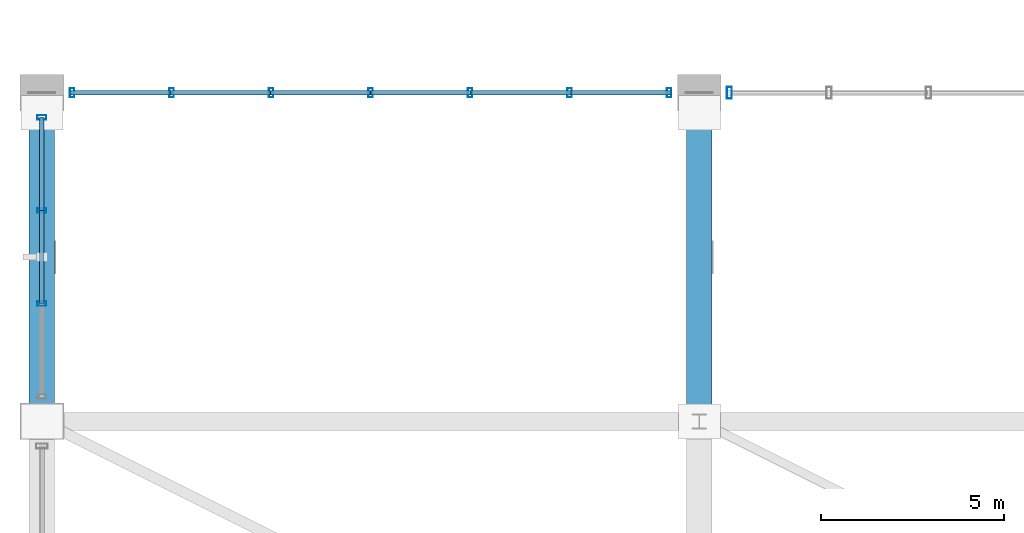
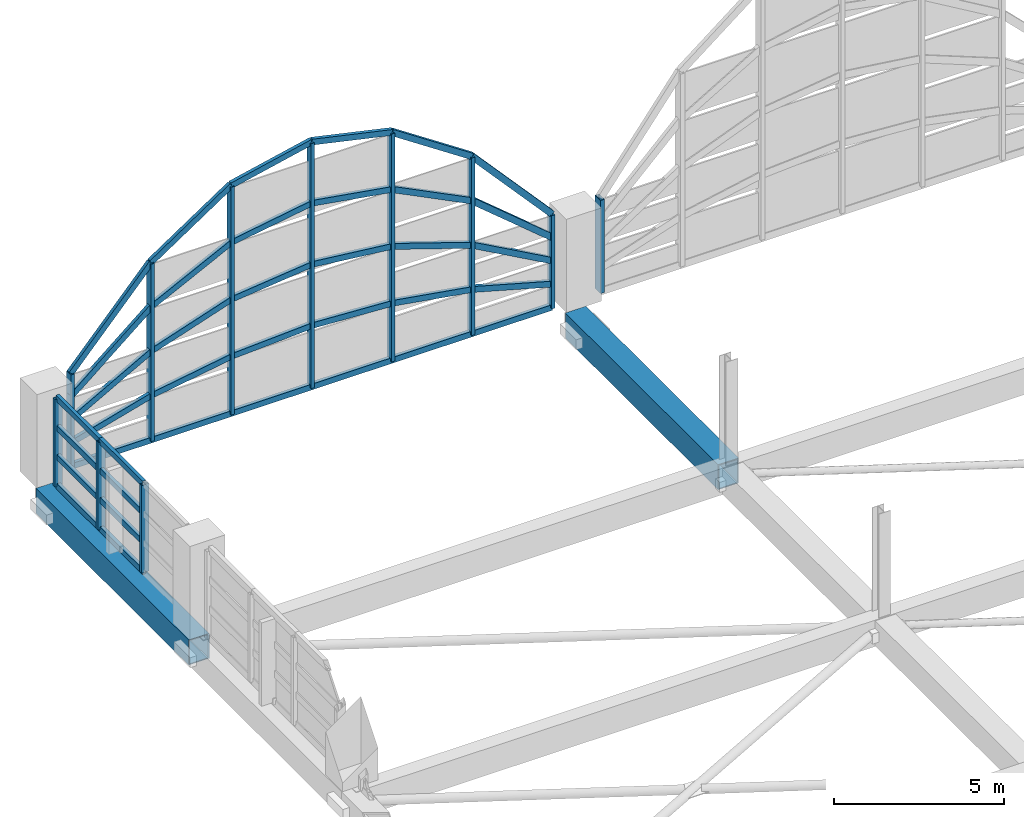
# One storey, part 43 of 116: 49 members, 2 beams, 3 elements without a shape of their own.
"""IFC4 building model written with IfcOpenShell, lengths in metres."""

from ifc_helpers import new_model, si_unit, direction, frame, origin, origin_2d, place, context, subcontext, project, spatial, hollow_rectangle, extrude, material, material_profile, profile_set, type_object, element, aggregate, save


model = new_model("IFC4")

# Units and contexts
model_context = context("Model", 3, precision=1e-05, world=origin(), true_north=direction((0.0, 1.0)))
body_context = subcontext(model_context, "Body", "Model", "MODEL_VIEW")
ifc_project = project(units=[si_unit("LENGTHUNIT", "METRE"), si_unit("AREAUNIT", "SQUARE_METRE"), si_unit("VOLUMEUNIT", "CUBIC_METRE"), si_unit("PLANEANGLEUNIT", "RADIAN"), si_unit("MASSUNIT", "GRAM", prefix="KILO")], contexts=[model_context])

# Site, building, storey
site_placement = place(None, origin())
site = spatial("IfcSite", under=ifc_project, at=site_placement, CompositionType="ELEMENT")
building_placement = place(site_placement, origin())
building = spatial("IfcBuilding", under=site, at=building_placement, Name="Chuanluo Vaults Station", CompositionType="ELEMENT")
storey_placement = place(building_placement, frame((0.0, 0.0, 10.800048828125)))
storey = spatial("IfcBuildingStorey", under=building, at=storey_placement, Name="L02", CompositionType="ELEMENT", Elevation=10.800048828125)

# Beams
ifc_material_1 = material(Name="Steel Q390C", Category="steel")
ifc_material_profile_1 = material_profile(ifc_material_1, hollow_rectangle(XDim=0.699951171875, YDim=0.89990234375, WallThickness=0.035888671875, at=origin_2d()))
ifc_profile_set_1 = profile_set([ifc_material_profile_1], Name="Steel Q390C")
beam_type = type_object("IfcBeamType", Name="BM-TT-TOP", PredefinedType="USERDEFINED", material=ifc_profile_set_1)
for number, where, z_axis, x_axis, name in (
    (1, (0.0, 94.5, -0.85009765625), (0.0, 1.0, 0.0), (-1.0, 0.0, 0.0), "Transfer truss TT-1 top chord 4"),
    (2, (18.0, 94.5, -0.85009765625), (0.0, 1.0, 0.0), (-1.0, 0.0, 0.0), "Transfer truss TT-2 top chord 4"),
):
    element("IfcBeam", number, at=place(storey_placement, frame(where, z_axis=z_axis, x_axis=x_axis)), inside=storey, type_object=beam_type, Name=name, ObjectType="GIRDER", PredefinedType="USERDEFINED", context=body_context, shape_type="SweptSolid", body=[
        extrude(hollow_rectangle(XDim=0.699951171875, YDim=0.89990234375, WallThickness=0.035888671875, at=origin_2d()), origin(), (0.0, 0.0, 1.0), 9.0),
    ])

# Curtain wall, members
ifc_material_2 = material(Name="Anodised aluminium 6063-T6", Category="aluminium")
curtain_wall_type_1 = type_object("IfcCurtainWallType", Name="CW-SYS-03", PredefinedType="NOTDEFINED", material=ifc_material_2)
curtain_wall_1_placement = place(storey_placement, origin())
curtain_wall_1 = element("IfcCurtainWall", 3, at=curtain_wall_1_placement, inside=storey, type_object=curtain_wall_type_1, Name="Vault V1 north arched curtain wall", PredefinedType="NOTDEFINED")
ifc_material_3 = material(Name="Anodised aluminium 6063-T6", Category="aluminium")
ifc_material_profile_2 = material_profile(ifc_material_3, hollow_rectangle(XDim=0.1201171875, YDim=0.25, WallThickness=0.006103515625, at=origin_2d()))
ifc_profile_set_2 = profile_set([ifc_material_profile_2], Name="Anodised aluminium 6063-T6")
member_type_1 = type_object("IfcMemberType", Name="CWM-160", PredefinedType="MULLION", material=ifc_profile_set_2)
member_1_placement = place(storey_placement, frame((0.824951171875, 103.5, 0.0), z_axis=(0.0, 0.0, 1.0), x_axis=(1.0, 0.0, 0.0)))
member_1 = element("IfcMember", 4, at=member_1_placement, type_object=member_type_1, Name="Vault V1 north arched curtain wall mullion 1", PredefinedType="MULLION", context=body_context, shape_type="SweptSolid", body=[
    extrude(hollow_rectangle(XDim=0.1201171875, YDim=0.25, WallThickness=0.006103515625, at=origin_2d()), origin(), (0.0, 0.0, 1.0), 3.349853515625),
])
member_2_placement = place(storey_placement, frame((3.550048828125, 103.5, 0.0), z_axis=(0.0, 0.0, 1.0), x_axis=(1.0, 0.0, 0.0)))
member_2 = element("IfcMember", 5, at=member_2_placement, type_object=member_type_1, Name="Vault V1 north arched curtain wall mullion 2", PredefinedType="MULLION", context=body_context, shape_type="SweptSolid", body=[
    extrude(hollow_rectangle(XDim=0.1201171875, YDim=0.25, WallThickness=0.006103515625, at=origin_2d()), origin(), (0.0, 0.0, 1.0), 6.377685546875),
])
member_3_placement = place(storey_placement, frame((6.27490234375, 103.5, 0.0), z_axis=(0.0, 0.0, 1.0), x_axis=(1.0, 0.0, 0.0)))
member_3 = element("IfcMember", 6, at=member_3_placement, type_object=member_type_1, Name="Vault V1 north arched curtain wall mullion 3", PredefinedType="MULLION", context=body_context, shape_type="SweptSolid", body=[
    extrude(hollow_rectangle(XDim=0.1201171875, YDim=0.25, WallThickness=0.006103515625, at=origin_2d()), origin(), (0.0, 0.0, 1.0), 8.1943359375),
])
member_4_placement = place(storey_placement, frame((9.0, 103.5, 0.0), z_axis=(0.0, 0.0, 1.0), x_axis=(1.0, 0.0, 0.0)))
member_4 = element("IfcMember", 7, at=member_4_placement, type_object=member_type_1, Name="Vault V1 north arched curtain wall mullion 4", PredefinedType="MULLION", context=body_context, shape_type="SweptSolid", body=[
    extrude(hollow_rectangle(XDim=0.1201171875, YDim=0.25, WallThickness=0.006103515625, at=origin_2d()), origin(), (0.0, 0.0, 1.0), 8.800048828125),
])
member_5_placement = place(storey_placement, frame((11.72509765625, 103.5, 0.0), z_axis=(0.0, 0.0, 1.0), x_axis=(1.0, 0.0, 0.0)))
member_5 = element("IfcMember", 8, at=member_5_placement, type_object=member_type_1, Name="Vault V1 north arched curtain wall mullion 5", PredefinedType="MULLION", context=body_context, shape_type="SweptSolid", body=[
    extrude(hollow_rectangle(XDim=0.1201171875, YDim=0.25, WallThickness=0.006103515625, at=origin_2d()), origin(), (0.0, 0.0, 1.0), 8.1943359375),
])
member_6_placement = place(storey_placement, frame((14.449951171875, 103.5, 0.0), z_axis=(0.0, 0.0, 1.0), x_axis=(1.0, 0.0, 0.0)))
member_6 = element("IfcMember", 9, at=member_6_placement, type_object=member_type_1, Name="Vault V1 north arched curtain wall mullion 6", PredefinedType="MULLION", context=body_context, shape_type="SweptSolid", body=[
    extrude(hollow_rectangle(XDim=0.1201171875, YDim=0.25, WallThickness=0.006103515625, at=origin_2d()), origin(), (0.0, 0.0, 1.0), 6.377685546875),
])
member_7_placement = place(storey_placement, frame((17.175048828125, 103.5, 0.0), z_axis=(0.0, 0.0, 1.0), x_axis=(1.0, 0.0, 0.0)))
member_7 = element("IfcMember", 10, at=member_7_placement, type_object=member_type_1, Name="Vault V1 north arched curtain wall mullion 7", PredefinedType="MULLION", context=body_context, shape_type="SweptSolid", body=[
    extrude(hollow_rectangle(XDim=0.1201171875, YDim=0.25, WallThickness=0.006103515625, at=origin_2d()), origin(), (0.0, 0.0, 1.0), 3.349853515625),
])

ifc_material_4 = material(Name="Anodised aluminium 6063-T6", Category="aluminium")
curtain_wall_type_2 = type_object("IfcCurtainWallType", Name="CW-SYS-19", PredefinedType="NOTDEFINED", material=ifc_material_4)
curtain_wall_2_placement = place(storey_placement, origin())
curtain_wall_2 = element("IfcCurtainWall", 11, at=curtain_wall_2_placement, inside=storey, type_object=curtain_wall_type_2, Name="Train shed west clerestory CW 94", PredefinedType="NOTDEFINED")
member_8_placement = place(storey_placement, frame((0.0, 97.72509765625, 0.0), z_axis=(0.0, 0.0, 1.0), x_axis=(0.0, 1.0, 0.0)))
member_8 = element("IfcMember", 12, at=member_8_placement, type_object=member_type_1, Name="Train shed west clerestory CW 94 mullion 2", PredefinedType="MULLION", context=body_context, shape_type="SweptSolid", body=[
    extrude(hollow_rectangle(XDim=0.1201171875, YDim=0.25, WallThickness=0.006103515625, at=origin_2d()), origin(), (0.0, 0.0, 1.0), 3.14990234375),
])
member_9_placement = place(storey_placement, frame((0.0, 100.27490234375, 0.0), z_axis=(0.0, 0.0, 1.0), x_axis=(0.0, 1.0, 0.0)))
member_9 = element("IfcMember", 13, at=member_9_placement, type_object=member_type_1, Name="Train shed west clerestory CW 94 mullion 3", PredefinedType="MULLION", context=body_context, shape_type="SweptSolid", body=[
    extrude(hollow_rectangle(XDim=0.1201171875, YDim=0.25, WallThickness=0.006103515625, at=origin_2d()), origin(), (0.0, 0.0, 1.0), 3.14990234375),
])
member_10_placement = place(storey_placement, frame((0.0, 102.824951171875, 0.0), z_axis=(0.0, 0.0, 1.0), x_axis=(0.0, 1.0, 0.0)))
member_10 = element("IfcMember", 14, at=member_10_placement, type_object=member_type_1, Name="Train shed west clerestory CW 94 mullion 4", PredefinedType="MULLION", context=body_context, shape_type="SweptSolid", body=[
    extrude(hollow_rectangle(XDim=0.1201171875, YDim=0.25, WallThickness=0.006103515625, at=origin_2d()), origin(), (0.0, 0.0, 1.0), 3.14990234375),
])

# Curtain wall, member
ifc_material_5 = material(Name="Anodised aluminium 6063-T6", Category="aluminium")
curtain_wall_type_3 = type_object("IfcCurtainWallType", Name="CW-SYS-05", PredefinedType="NOTDEFINED", material=ifc_material_5)
curtain_wall_3_placement = place(storey_placement, origin())
curtain_wall_3 = element("IfcCurtainWall", 15, at=curtain_wall_3_placement, inside=storey, type_object=curtain_wall_type_3, Name="Vault V2 north arched curtain wall", PredefinedType="NOTDEFINED")
ifc_material_6 = material(Name="Anodised aluminium 6063-T6", Category="aluminium")
ifc_material_profile_3 = material_profile(ifc_material_6, hollow_rectangle(XDim=0.139892578125, YDim=0.320068359375, WallThickness=0.008056640625, at=origin_2d()))
ifc_profile_set_3 = profile_set([ifc_material_profile_3], Name="Anodised aluminium 6063-T6")
member_type_2 = type_object("IfcMemberType", Name="CWM-220", PredefinedType="MULLION", material=ifc_profile_set_3)
member_11_placement = place(storey_placement, frame((18.824951171875, 103.5, 0.0), z_axis=(0.0, 0.0, 1.0), x_axis=(1.0, 0.0, 0.0)))
member_11 = element("IfcMember", 16, at=member_11_placement, type_object=member_type_2, Name="Vault V2 north arched curtain wall mullion 1", PredefinedType="MULLION", context=body_context, shape_type="SweptSolid", body=[
    extrude(hollow_rectangle(XDim=0.139892578125, YDim=0.320068359375, WallThickness=0.008056640625, at=origin_2d()), origin(), (0.0, 0.0, 1.0), 3.349853515625),
])
aggregate(curtain_wall_3, [member_11])

# Member
ifc_material_7 = material(Name="Anodised aluminium 6063-T6", Category="aluminium")
ifc_material_profile_4 = material_profile(ifc_material_7, hollow_rectangle(XDim=0.1201171875, YDim=0.205078125, WallThickness=0.006103515625, at=origin_2d()))
ifc_profile_set_4 = profile_set([ifc_material_profile_4], Name="Anodised aluminium 6063-T6")
member_type_3 = type_object("IfcMemberType", Name="CWT-130", PredefinedType="USERDEFINED", material=ifc_profile_set_4)
member_12_placement = place(storey_placement, frame((0.824951171875, 103.5, 0.0), z_axis=(1.0, 0.0, 0.0), x_axis=(0.0, 1.0, 0.0)))
member_12 = element("IfcMember", 17, at=member_12_placement, type_object=member_type_3, Name="Vault V1 north arched curtain wall transom 1.1", ObjectType="TRANSOM", PredefinedType="USERDEFINED", context=body_context, shape_type="SweptSolid", body=[
    extrude(hollow_rectangle(XDim=0.1201171875, YDim=0.205078125, WallThickness=0.006103515625, at=origin_2d()), origin(), (0.0, 0.0, 1.0), 2.72509765625),
])

member_13_placement = place(storey_placement, frame((0.824951171875, 103.5, 0.83740234375), z_axis=(0.963508015519, 0.0, 0.267679480033), x_axis=(0.0, 1.0, 0.0)))
member_13 = element("IfcMember", 18, at=member_13_placement, type_object=member_type_3, Name="Vault V1 north arched curtain wall transom 1.2", ObjectType="TRANSOM", PredefinedType="USERDEFINED", context=body_context, shape_type="SweptSolid", body=[
    extrude(hollow_rectangle(XDim=0.1201171875, YDim=0.205078125, WallThickness=0.006103515625, at=origin_2d()), origin(), (0.0, 0.0, 1.0), 2.828369140625),
])

member_14_placement = place(storey_placement, frame((0.824951171875, 103.5, 1.675048828125), z_axis=(0.874160970238, 0.0, 0.48563628171), x_axis=(0.0, 1.0, 0.0)))
member_14 = element("IfcMember", 19, at=member_14_placement, type_object=member_type_3, Name="Vault V1 north arched curtain wall transom 1.3", ObjectType="TRANSOM", PredefinedType="USERDEFINED", context=body_context, shape_type="SweptSolid", body=[
    extrude(hollow_rectangle(XDim=0.1201171875, YDim=0.205078125, WallThickness=0.006103515625, at=origin_2d()), origin(), (0.0, 0.0, 1.0), 3.117431640625),
])

member_15_placement = place(storey_placement, frame((0.824951171875, 103.5, 2.512451171875), z_axis=(0.768209996906, 0.0, 0.640197938651), x_axis=(0.0, 1.0, 0.0)))
member_15 = element("IfcMember", 20, at=member_15_placement, type_object=member_type_3, Name="Vault V1 north arched curtain wall transom 1.4", ObjectType="TRANSOM", PredefinedType="USERDEFINED", context=body_context, shape_type="SweptSolid", body=[
    extrude(hollow_rectangle(XDim=0.1201171875, YDim=0.205078125, WallThickness=0.006103515625, at=origin_2d()), origin(), (0.0, 0.0, 1.0), 3.54736328125),
])

member_16_placement = place(storey_placement, frame((0.824951171875, 103.5, 3.349853515625), z_axis=(0.668971354019, 0.0, 0.743288186037), x_axis=(0.0, 1.0, 0.0)))
member_16 = element("IfcMember", 21, at=member_16_placement, type_object=member_type_3, Name="Vault V1 north arched curtain wall transom 1.5", ObjectType="TRANSOM", PredefinedType="USERDEFINED", context=body_context, shape_type="SweptSolid", body=[
    extrude(hollow_rectangle(XDim=0.1201171875, YDim=0.205078125, WallThickness=0.006103515625, at=origin_2d()), origin(), (0.0, 0.0, 1.0), 4.073486328125),
])

member_17_placement = place(storey_placement, frame((3.550048828125, 103.5, 0.0), z_axis=(1.0, 0.0, 0.0), x_axis=(0.0, 1.0, 0.0)))
member_17 = element("IfcMember", 22, at=member_17_placement, type_object=member_type_3, Name="Vault V1 north arched curtain wall transom 2.1", ObjectType="TRANSOM", PredefinedType="USERDEFINED", context=body_context, shape_type="SweptSolid", body=[
    extrude(hollow_rectangle(XDim=0.1201171875, YDim=0.205078125, WallThickness=0.006103515625, at=origin_2d()), origin(), (0.0, 0.0, 1.0), 2.724853515625),
])

member_18_placement = place(storey_placement, frame((3.550048828125, 103.5, 1.594482421875), z_axis=(0.986396312346, 0.0, 0.164384655583), x_axis=(0.0, 1.0, 0.0)))
member_18 = element("IfcMember", 23, at=member_18_placement, type_object=member_type_3, Name="Vault V1 north arched curtain wall transom 2.2", ObjectType="TRANSOM", PredefinedType="USERDEFINED", context=body_context, shape_type="SweptSolid", body=[
    extrude(hollow_rectangle(XDim=0.1201171875, YDim=0.205078125, WallThickness=0.006103515625, at=origin_2d()), origin(), (0.0, 0.0, 1.0), 2.762451171875),
])

member_19_placement = place(storey_placement, frame((3.550048828125, 103.5, 3.18896484375), z_axis=(0.948691797769, 0.0, 0.31620226572), x_axis=(0.0, 1.0, 0.0)))
member_19 = element("IfcMember", 24, at=member_19_placement, type_object=member_type_3, Name="Vault V1 north arched curtain wall transom 2.3", ObjectType="TRANSOM", PredefinedType="USERDEFINED", context=body_context, shape_type="SweptSolid", body=[
    extrude(hollow_rectangle(XDim=0.1201171875, YDim=0.205078125, WallThickness=0.006103515625, at=origin_2d()), origin(), (0.0, 0.0, 1.0), 2.872314453125),
])

member_20_placement = place(storey_placement, frame((3.550048828125, 103.5, 4.783447265625), z_axis=(0.894443218438, 0.0, 0.447181539188), x_axis=(0.0, 1.0, 0.0)))
member_20 = element("IfcMember", 25, at=member_20_placement, type_object=member_type_3, Name="Vault V1 north arched curtain wall transom 2.4", ObjectType="TRANSOM", PredefinedType="USERDEFINED", context=body_context, shape_type="SweptSolid", body=[
    extrude(hollow_rectangle(XDim=0.1201171875, YDim=0.205078125, WallThickness=0.006103515625, at=origin_2d()), origin(), (0.0, 0.0, 1.0), 3.04638671875),
])

member_21_placement = place(storey_placement, frame((3.550048828125, 103.5, 6.377685546875), z_axis=(0.832038825118, 0.0, 0.554717399669), x_axis=(0.0, 1.0, 0.0)))
member_21 = element("IfcMember", 26, at=member_21_placement, type_object=member_type_3, Name="Vault V1 north arched curtain wall transom 2.5", ObjectType="TRANSOM", PredefinedType="USERDEFINED", context=body_context, shape_type="SweptSolid", body=[
    extrude(hollow_rectangle(XDim=0.1201171875, YDim=0.205078125, WallThickness=0.006103515625, at=origin_2d()), origin(), (0.0, 0.0, 1.0), 3.27490234375),
])

member_22_placement = place(storey_placement, frame((6.27490234375, 103.5, 0.0), z_axis=(1.0, 0.0, 0.0), x_axis=(0.0, 1.0, 0.0)))
member_22 = element("IfcMember", 27, at=member_22_placement, type_object=member_type_3, Name="Vault V1 north arched curtain wall transom 3.1", ObjectType="TRANSOM", PredefinedType="USERDEFINED", context=body_context, shape_type="SweptSolid", body=[
    extrude(hollow_rectangle(XDim=0.1201171875, YDim=0.205078125, WallThickness=0.006103515625, at=origin_2d()), origin(), (0.0, 0.0, 1.0), 2.72509765625),
])

member_23_placement = place(storey_placement, frame((6.27490234375, 103.5, 2.048583984375), z_axis=(0.998460903629, 0.0, 0.055460111114), x_axis=(0.0, 1.0, 0.0)))
member_23 = element("IfcMember", 28, at=member_23_placement, type_object=member_type_3, Name="Vault V1 north arched curtain wall transom 3.2", ObjectType="TRANSOM", PredefinedType="USERDEFINED", context=body_context, shape_type="SweptSolid", body=[
    extrude(hollow_rectangle(XDim=0.1201171875, YDim=0.205078125, WallThickness=0.006103515625, at=origin_2d()), origin(), (0.0, 0.0, 1.0), 2.729248046875),
])

member_24_placement = place(storey_placement, frame((6.27490234375, 103.5, 4.09716796875), z_axis=(0.993885906236, 0.0, 0.110411980266), x_axis=(0.0, 1.0, 0.0)))
member_24 = element("IfcMember", 29, at=member_24_placement, type_object=member_type_3, Name="Vault V1 north arched curtain wall transom 3.3", ObjectType="TRANSOM", PredefinedType="USERDEFINED", context=body_context, shape_type="SweptSolid", body=[
    extrude(hollow_rectangle(XDim=0.1201171875, YDim=0.205078125, WallThickness=0.006103515625, at=origin_2d()), origin(), (0.0, 0.0, 1.0), 2.741943359375),
])

member_25_placement = place(storey_placement, frame((6.27490234375, 103.5, 6.145751953125), z_axis=(0.986398700234, 0.0, 0.164370326325), x_axis=(0.0, 1.0, 0.0)))
member_25 = element("IfcMember", 30, at=member_25_placement, type_object=member_type_3, Name="Vault V1 north arched curtain wall transom 3.4", ObjectType="TRANSOM", PredefinedType="USERDEFINED", context=body_context, shape_type="SweptSolid", body=[
    extrude(hollow_rectangle(XDim=0.1201171875, YDim=0.205078125, WallThickness=0.006103515625, at=origin_2d()), origin(), (0.0, 0.0, 1.0), 2.7626953125),
])

member_26_placement = place(storey_placement, frame((6.27490234375, 103.5, 8.1943359375), z_axis=(0.97617677022, 0.0, 0.216976757473), x_axis=(0.0, 1.0, 0.0)))
member_26 = element("IfcMember", 31, at=member_26_placement, type_object=member_type_3, Name="Vault V1 north arched curtain wall transom 3.5", ObjectType="TRANSOM", PredefinedType="USERDEFINED", context=body_context, shape_type="SweptSolid", body=[
    extrude(hollow_rectangle(XDim=0.1201171875, YDim=0.205078125, WallThickness=0.006103515625, at=origin_2d()), origin(), (0.0, 0.0, 1.0), 2.79150390625),
])

member_27_placement = place(storey_placement, frame((9.0, 103.5, 0.0), z_axis=(1.0, 0.0, 0.0), x_axis=(0.0, 1.0, 0.0)))
member_27 = element("IfcMember", 32, at=member_27_placement, type_object=member_type_3, Name="Vault V1 north arched curtain wall transom 4.1", ObjectType="TRANSOM", PredefinedType="USERDEFINED", context=body_context, shape_type="SweptSolid", body=[
    extrude(hollow_rectangle(XDim=0.1201171875, YDim=0.205078125, WallThickness=0.006103515625, at=origin_2d()), origin(), (0.0, 0.0, 1.0), 2.72509765625),
])

member_28_placement = place(storey_placement, frame((9.0, 103.5, 2.199951171875), z_axis=(0.998460903629, 0.0, -0.055460111114), x_axis=(0.0, 1.0, 0.0)))
member_28 = element("IfcMember", 33, at=member_28_placement, type_object=member_type_3, Name="Vault V1 north arched curtain wall transom 4.2", ObjectType="TRANSOM", PredefinedType="USERDEFINED", context=body_context, shape_type="SweptSolid", body=[
    extrude(hollow_rectangle(XDim=0.1201171875, YDim=0.205078125, WallThickness=0.006103515625, at=origin_2d()), origin(), (0.0, 0.0, 1.0), 2.729248046875),
])

member_29_placement = place(storey_placement, frame((9.0, 103.5, 4.39990234375), z_axis=(0.993885906236, 0.0, -0.110411980266), x_axis=(0.0, 1.0, 0.0)))
member_29 = element("IfcMember", 34, at=member_29_placement, type_object=member_type_3, Name="Vault V1 north arched curtain wall transom 4.3", ObjectType="TRANSOM", PredefinedType="USERDEFINED", context=body_context, shape_type="SweptSolid", body=[
    extrude(hollow_rectangle(XDim=0.1201171875, YDim=0.205078125, WallThickness=0.006103515625, at=origin_2d()), origin(), (0.0, 0.0, 1.0), 2.741943359375),
])

member_30_placement = place(storey_placement, frame((9.0, 103.5, 6.599853515625), z_axis=(0.986398700234, 0.0, -0.164370326325), x_axis=(0.0, 1.0, 0.0)))
member_30 = element("IfcMember", 35, at=member_30_placement, type_object=member_type_3, Name="Vault V1 north arched curtain wall transom 4.4", ObjectType="TRANSOM", PredefinedType="USERDEFINED", context=body_context, shape_type="SweptSolid", body=[
    extrude(hollow_rectangle(XDim=0.1201171875, YDim=0.205078125, WallThickness=0.006103515625, at=origin_2d()), origin(), (0.0, 0.0, 1.0), 2.7626953125),
])

member_31_placement = place(storey_placement, frame((9.0, 103.5, 8.800048828125), z_axis=(0.97617677022, 0.0, -0.216976757473), x_axis=(0.0, 1.0, 0.0)))
member_31 = element("IfcMember", 36, at=member_31_placement, type_object=member_type_3, Name="Vault V1 north arched curtain wall transom 4.5", ObjectType="TRANSOM", PredefinedType="USERDEFINED", context=body_context, shape_type="SweptSolid", body=[
    extrude(hollow_rectangle(XDim=0.1201171875, YDim=0.205078125, WallThickness=0.006103515625, at=origin_2d()), origin(), (0.0, 0.0, 1.0), 2.79150390625),
])

member_32_placement = place(storey_placement, frame((11.72509765625, 103.5, 0.0), z_axis=(1.0, 0.0, 0.0), x_axis=(0.0, 1.0, 0.0)))
member_32 = element("IfcMember", 37, at=member_32_placement, type_object=member_type_3, Name="Vault V1 north arched curtain wall transom 5.1", ObjectType="TRANSOM", PredefinedType="USERDEFINED", context=body_context, shape_type="SweptSolid", body=[
    extrude(hollow_rectangle(XDim=0.1201171875, YDim=0.205078125, WallThickness=0.006103515625, at=origin_2d()), origin(), (0.0, 0.0, 1.0), 2.724853515625),
])

member_33_placement = place(storey_placement, frame((11.72509765625, 103.5, 2.048583984375), z_axis=(0.986396312346, 0.0, -0.164384655583), x_axis=(0.0, 1.0, 0.0)))
member_33 = element("IfcMember", 38, at=member_33_placement, type_object=member_type_3, Name="Vault V1 north arched curtain wall transom 5.2", ObjectType="TRANSOM", PredefinedType="USERDEFINED", context=body_context, shape_type="SweptSolid", body=[
    extrude(hollow_rectangle(XDim=0.1201171875, YDim=0.205078125, WallThickness=0.006103515625, at=origin_2d()), origin(), (0.0, 0.0, 1.0), 2.762451171875),
])

member_34_placement = place(storey_placement, frame((11.72509765625, 103.5, 4.09716796875), z_axis=(0.948691797769, 0.0, -0.31620226572), x_axis=(0.0, 1.0, 0.0)))
member_34 = element("IfcMember", 39, at=member_34_placement, type_object=member_type_3, Name="Vault V1 north arched curtain wall transom 5.3", ObjectType="TRANSOM", PredefinedType="USERDEFINED", context=body_context, shape_type="SweptSolid", body=[
    extrude(hollow_rectangle(XDim=0.1201171875, YDim=0.205078125, WallThickness=0.006103515625, at=origin_2d()), origin(), (0.0, 0.0, 1.0), 2.872314453125),
])

member_35_placement = place(storey_placement, frame((11.72509765625, 103.5, 6.145751953125), z_axis=(0.894443218438, 0.0, -0.447181539188), x_axis=(0.0, 1.0, 0.0)))
member_35 = element("IfcMember", 40, at=member_35_placement, type_object=member_type_3, Name="Vault V1 north arched curtain wall transom 5.4", ObjectType="TRANSOM", PredefinedType="USERDEFINED", context=body_context, shape_type="SweptSolid", body=[
    extrude(hollow_rectangle(XDim=0.1201171875, YDim=0.205078125, WallThickness=0.006103515625, at=origin_2d()), origin(), (0.0, 0.0, 1.0), 3.04638671875),
])

member_36_placement = place(storey_placement, frame((11.72509765625, 103.5, 8.1943359375), z_axis=(0.832038825118, 0.0, -0.554717399669), x_axis=(0.0, 1.0, 0.0)))
member_36 = element("IfcMember", 41, at=member_36_placement, type_object=member_type_3, Name="Vault V1 north arched curtain wall transom 5.5", ObjectType="TRANSOM", PredefinedType="USERDEFINED", context=body_context, shape_type="SweptSolid", body=[
    extrude(hollow_rectangle(XDim=0.1201171875, YDim=0.205078125, WallThickness=0.006103515625, at=origin_2d()), origin(), (0.0, 0.0, 1.0), 3.27490234375),
])

member_37_placement = place(storey_placement, frame((14.449951171875, 103.5, 0.0), z_axis=(1.0, 0.0, 0.0), x_axis=(0.0, 1.0, 0.0)))
member_37 = element("IfcMember", 42, at=member_37_placement, type_object=member_type_3, Name="Vault V1 north arched curtain wall transom 6.1", ObjectType="TRANSOM", PredefinedType="USERDEFINED", context=body_context, shape_type="SweptSolid", body=[
    extrude(hollow_rectangle(XDim=0.1201171875, YDim=0.205078125, WallThickness=0.006103515625, at=origin_2d()), origin(), (0.0, 0.0, 1.0), 2.72509765625),
])

member_38_placement = place(storey_placement, frame((14.449951171875, 103.5, 1.594482421875), z_axis=(0.963508015519, 0.0, -0.267679480033), x_axis=(0.0, 1.0, 0.0)))
member_38 = element("IfcMember", 43, at=member_38_placement, type_object=member_type_3, Name="Vault V1 north arched curtain wall transom 6.2", ObjectType="TRANSOM", PredefinedType="USERDEFINED", context=body_context, shape_type="SweptSolid", body=[
    extrude(hollow_rectangle(XDim=0.1201171875, YDim=0.205078125, WallThickness=0.006103515625, at=origin_2d()), origin(), (0.0, 0.0, 1.0), 2.828369140625),
])

member_39_placement = place(storey_placement, frame((14.449951171875, 103.5, 3.18896484375), z_axis=(0.874160970238, 0.0, -0.48563628171), x_axis=(0.0, 1.0, 0.0)))
member_39 = element("IfcMember", 44, at=member_39_placement, type_object=member_type_3, Name="Vault V1 north arched curtain wall transom 6.3", ObjectType="TRANSOM", PredefinedType="USERDEFINED", context=body_context, shape_type="SweptSolid", body=[
    extrude(hollow_rectangle(XDim=0.1201171875, YDim=0.205078125, WallThickness=0.006103515625, at=origin_2d()), origin(), (0.0, 0.0, 1.0), 3.117431640625),
])

member_40_placement = place(storey_placement, frame((14.449951171875, 103.5, 4.783447265625), z_axis=(0.768209996906, 0.0, -0.640197938651), x_axis=(0.0, 1.0, 0.0)))
member_40 = element("IfcMember", 45, at=member_40_placement, type_object=member_type_3, Name="Vault V1 north arched curtain wall transom 6.4", ObjectType="TRANSOM", PredefinedType="USERDEFINED", context=body_context, shape_type="SweptSolid", body=[
    extrude(hollow_rectangle(XDim=0.1201171875, YDim=0.205078125, WallThickness=0.006103515625, at=origin_2d()), origin(), (0.0, 0.0, 1.0), 3.54736328125),
])

member_41_placement = place(storey_placement, frame((14.449951171875, 103.5, 6.377685546875), z_axis=(0.668971354019, 0.0, -0.743288186037), x_axis=(0.0, 1.0, 0.0)))
member_41 = element("IfcMember", 46, at=member_41_placement, type_object=member_type_3, Name="Vault V1 north arched curtain wall transom 6.5", ObjectType="TRANSOM", PredefinedType="USERDEFINED", context=body_context, shape_type="SweptSolid", body=[
    extrude(hollow_rectangle(XDim=0.1201171875, YDim=0.205078125, WallThickness=0.006103515625, at=origin_2d()), origin(), (0.0, 0.0, 1.0), 4.073486328125),
])

aggregate(curtain_wall_1, [member_1, member_2, member_3, member_4, member_5, member_6, member_7, member_12, member_13, member_14, member_15, member_16, member_17, member_18, member_19, member_20, member_21, member_22, member_23, member_24, member_25, member_26, member_27, member_28, member_29, member_30, member_31, member_32, member_33, member_34, member_35, member_36, member_37, member_38, member_39, member_40, member_41])

member_42_placement = place(storey_placement, frame((0.0, 97.72509765625, 0.0), z_axis=(0.0, 1.0, 0.0), x_axis=(-1.0, 0.0, 0.0)))
member_42 = element("IfcMember", 47, at=member_42_placement, type_object=member_type_3, Name="Train shed west clerestory CW 94 transom 2.1", ObjectType="TRANSOM", PredefinedType="USERDEFINED", context=body_context, shape_type="SweptSolid", body=[
    extrude(hollow_rectangle(XDim=0.1201171875, YDim=0.205078125, WallThickness=0.006103515625, at=origin_2d()), origin(), (0.0, 0.0, 1.0), 2.5498046875),
])

member_43_placement = place(storey_placement, frame((0.0, 97.72509765625, 1.050048828125), z_axis=(0.0, 1.0, 0.0), x_axis=(-1.0, 0.0, 0.0)))
member_43 = element("IfcMember", 48, at=member_43_placement, type_object=member_type_3, Name="Train shed west clerestory CW 94 transom 2.2", ObjectType="TRANSOM", PredefinedType="USERDEFINED", context=body_context, shape_type="SweptSolid", body=[
    extrude(hollow_rectangle(XDim=0.1201171875, YDim=0.205078125, WallThickness=0.006103515625, at=origin_2d()), origin(), (0.0, 0.0, 1.0), 2.5498046875),
])

member_44_placement = place(storey_placement, frame((0.0, 97.72509765625, 2.099853515625), z_axis=(0.0, 1.0, 0.0), x_axis=(-1.0, 0.0, 0.0)))
member_44 = element("IfcMember", 49, at=member_44_placement, type_object=member_type_3, Name="Train shed west clerestory CW 94 transom 2.3", ObjectType="TRANSOM", PredefinedType="USERDEFINED", context=body_context, shape_type="SweptSolid", body=[
    extrude(hollow_rectangle(XDim=0.1201171875, YDim=0.205078125, WallThickness=0.006103515625, at=origin_2d()), origin(), (0.0, 0.0, 1.0), 2.5498046875),
])

member_45_placement = place(storey_placement, frame((0.0, 97.72509765625, 3.14990234375), z_axis=(0.0, 1.0, 0.0), x_axis=(-1.0, 0.0, 0.0)))
member_45 = element("IfcMember", 50, at=member_45_placement, type_object=member_type_3, Name="Train shed west clerestory CW 94 transom 2.4", ObjectType="TRANSOM", PredefinedType="USERDEFINED", context=body_context, shape_type="SweptSolid", body=[
    extrude(hollow_rectangle(XDim=0.1201171875, YDim=0.205078125, WallThickness=0.006103515625, at=origin_2d()), origin(), (0.0, 0.0, 1.0), 2.5498046875),
])

member_46_placement = place(storey_placement, frame((0.0, 100.27490234375, 0.0), z_axis=(0.0, 1.0, 0.0), x_axis=(-1.0, 0.0, 0.0)))
member_46 = element("IfcMember", 51, at=member_46_placement, type_object=member_type_3, Name="Train shed west clerestory CW 94 transom 3.1", ObjectType="TRANSOM", PredefinedType="USERDEFINED", context=body_context, shape_type="SweptSolid", body=[
    extrude(hollow_rectangle(XDim=0.1201171875, YDim=0.205078125, WallThickness=0.006103515625, at=origin_2d()), origin(), (0.0, 0.0, 1.0), 2.550048828125),
])

member_47_placement = place(storey_placement, frame((0.0, 100.27490234375, 1.050048828125), z_axis=(0.0, 1.0, 0.0), x_axis=(-1.0, 0.0, 0.0)))
member_47 = element("IfcMember", 52, at=member_47_placement, type_object=member_type_3, Name="Train shed west clerestory CW 94 transom 3.2", ObjectType="TRANSOM", PredefinedType="USERDEFINED", context=body_context, shape_type="SweptSolid", body=[
    extrude(hollow_rectangle(XDim=0.1201171875, YDim=0.205078125, WallThickness=0.006103515625, at=origin_2d()), origin(), (0.0, 0.0, 1.0), 2.550048828125),
])

member_48_placement = place(storey_placement, frame((0.0, 100.27490234375, 2.099853515625), z_axis=(0.0, 1.0, 0.0), x_axis=(-1.0, 0.0, 0.0)))
member_48 = element("IfcMember", 53, at=member_48_placement, type_object=member_type_3, Name="Train shed west clerestory CW 94 transom 3.3", ObjectType="TRANSOM", PredefinedType="USERDEFINED", context=body_context, shape_type="SweptSolid", body=[
    extrude(hollow_rectangle(XDim=0.1201171875, YDim=0.205078125, WallThickness=0.006103515625, at=origin_2d()), origin(), (0.0, 0.0, 1.0), 2.550048828125),
])

member_49_placement = place(storey_placement, frame((0.0, 100.27490234375, 3.14990234375), z_axis=(0.0, 1.0, 0.0), x_axis=(-1.0, 0.0, 0.0)))
member_49 = element("IfcMember", 54, at=member_49_placement, type_object=member_type_3, Name="Train shed west clerestory CW 94 transom 3.4", ObjectType="TRANSOM", PredefinedType="USERDEFINED", context=body_context, shape_type="SweptSolid", body=[
    extrude(hollow_rectangle(XDim=0.1201171875, YDim=0.205078125, WallThickness=0.006103515625, at=origin_2d()), origin(), (0.0, 0.0, 1.0), 2.550048828125),
])

aggregate(curtain_wall_2, [member_8, member_9, member_10, member_42, member_43, member_44, member_45, member_46, member_47, member_48, member_49])

save(model, "model.ifc")
